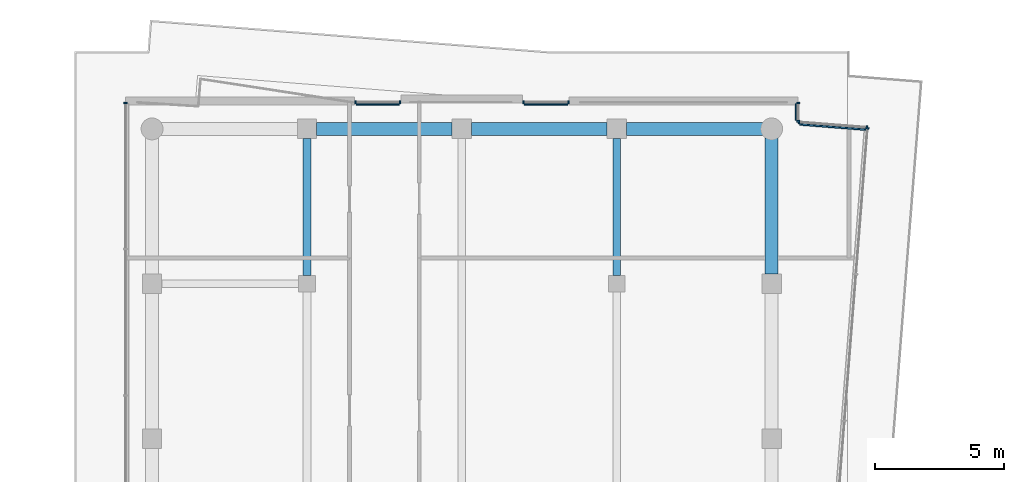
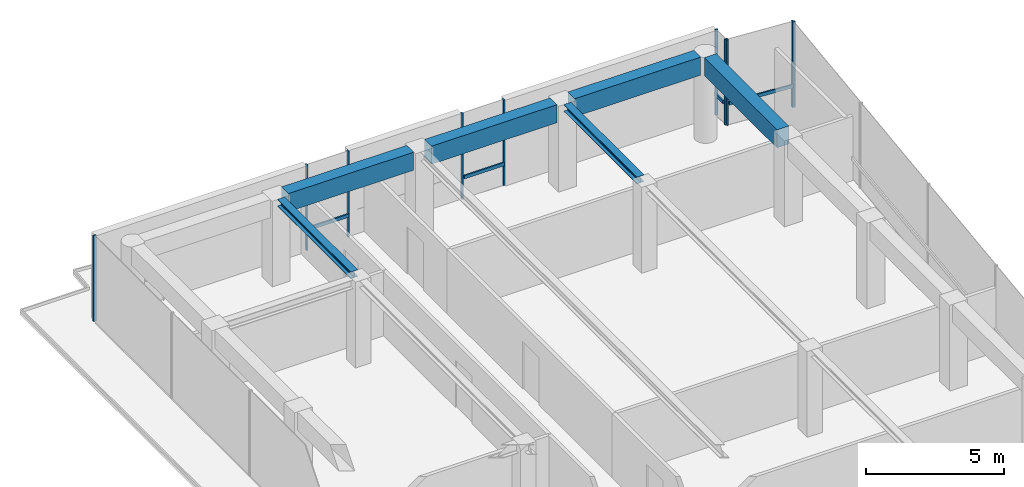
# One storey, part 14 of 22: 14 members, 6 beams, 6 elements without a shape of their own.
"""IFC4 building model written with IfcOpenShell, lengths in metres."""

import ifcopenshell
import ifcopenshell.guid

model = None  # the IFC model being written
_history = None  # IfcOwnerHistory: only IFC2X3 demands one
_inside = {}  # id of a spatial element -> (the spatial element, [elements in it])
_under = {}  # id of a project, library or spatial element -> (it, [spatial elements below it])
_declared = {}  # id of a project -> (the project, [libraries it declares])
_typed = {}  # id of a type object -> (the type object, [elements of that type])
_made_of = {}  # id of a material, layer set ... -> (it, [elements and type objects made of it])


def new_model(schema):
    """Start an empty IFC model of exactly this schema.

    Asked for "IFC4X3", IfcOpenShell would pick the latest addendum, in which some entities
    have other attributes; the version numbers below select the first issue.
    IFC2X3 requires an IfcOwnerHistory on every rooted entity: one is made here for all.
    """
    global model, _history
    if schema == "IFC4X3":
        model = ifcopenshell.file(schema_version=(4, 3, 0, 0))
    else:
        model = ifcopenshell.file(schema=schema)
    _inside.clear()
    _under.clear()
    _declared.clear()
    _typed.clear()
    _made_of.clear()
    _history = None
    if model.schema == "IFC2X3":
        org = make("IfcOrganization", Name="unknown")
        user = make(
            "IfcPersonAndOrganization",
            ThePerson=make("IfcPerson", FamilyName="unknown"),
            TheOrganization=org,
        )
        app = make(
            "IfcApplication",
            ApplicationDeveloper=org,
            Version="unknown",
            ApplicationFullName="unknown",
            ApplicationIdentifier="unknown",
        )
        _history = make(
            "IfcOwnerHistory",
            OwningUser=user,
            OwningApplication=app,
            ChangeAction="ADDED",
            CreationDate=0,
        )
    return model


def make(cls, **values):
    """One entity of the class cls with the attributes given. An attribute that is None is left unset."""
    return model.create_entity(
        cls, **{name: value for name, value in values.items() if value is not None}
    )


def rooted(cls, **values):
    """An entity with a GlobalId (a new one), such as an element, a storey or a relation."""
    return make(cls, GlobalId=ifcopenshell.guid.new(), OwnerHistory=_history, **values)


def si_unit(unit_type, name, prefix=None):
    """IfcSIUnit, for example si_unit("LENGTHUNIT", "METRE", prefix="MILLI")."""
    return make("IfcSIUnit", UnitType=unit_type, Prefix=prefix, Name=name)


def assignment(units):
    """IfcUnitAssignment: the units of a project."""
    return None if units is None else make("IfcUnitAssignment", Units=units)


def point(xyz):
    """IfcCartesianPoint."""
    return None if xyz is None else make("IfcCartesianPoint", Coordinates=xyz)


def direction(xyz):
    """IfcDirection."""
    return None if xyz is None else make("IfcDirection", DirectionRatios=xyz)


def frame(location, z_axis=None, x_axis=None):
    """IfcAxis2Placement3D, a coordinate frame: its origin and axes. An axis left out is left unset."""
    return make(
        "IfcAxis2Placement3D",
        Location=point(location),
        Axis=direction(z_axis),
        RefDirection=direction(x_axis),
    )


def frame_2d(location, x_axis=None):
    """IfcAxis2Placement2D, a coordinate frame in the plane: its origin and x axis."""
    return make(
        "IfcAxis2Placement2D", Location=point(location), RefDirection=direction(x_axis)
    )


def origin():
    """The frame at (0, 0, 0) with its axes left unset."""
    return frame((0.0, 0.0, 0.0))


def origin_2d():
    """The frame at (0, 0) in the plane with its x axis left unset."""
    return frame_2d((0.0, 0.0))


def place(relative_to, where):
    """IfcLocalPlacement: puts the frame where relative to a parent placement (None: the world)."""
    return make(
        "IfcLocalPlacement", PlacementRelTo=relative_to, RelativePlacement=where
    )


def context(
    kind, dimensions, precision=None, world=None, true_north=None, identifier=None
):
    """IfcGeometricRepresentationContext, for example the 3D "Model" context."""
    return make(
        "IfcGeometricRepresentationContext",
        ContextIdentifier=identifier,
        ContextType=kind,
        CoordinateSpaceDimension=dimensions,
        Precision=precision,
        WorldCoordinateSystem=world,
        TrueNorth=true_north,
    )


def subcontext(parent, identifier, kind, view, scale=None):
    """IfcGeometricRepresentationSubContext, for example "Body" below "Model"."""
    return make(
        "IfcGeometricRepresentationSubContext",
        ContextIdentifier=identifier,
        ContextType=kind,
        ParentContext=parent,
        TargetScale=scale,
        TargetView=view,
    )


def project(units=None, contexts=None):
    """IfcProject with its units and contexts."""
    return rooted(
        "IfcProject",
        Name="project",
        RepresentationContexts=contexts,
        UnitsInContext=assignment(units),
    )


def spatial(cls, under=None, at=None, **own):
    """A site, building, storey or space (cls), placed at a placement, below another one or the project."""
    s = rooted(cls, ObjectPlacement=at, **own)
    if under is not None:
        _under.setdefault(under.id(), (under, []))[1].append(s)
    return s


def profile(cls, at=None, kind="AREA", **sizes):
    """A parametric profile (cls). Its sizes go by their IFC names, for example OverallWidth=200.0."""
    return make(cls, ProfileType=kind, Position=at, **sizes)


def rectangle(**sizes):
    """IfcRectangleProfileDef."""
    return profile("IfcRectangleProfileDef", **sizes)


def i_section(**sizes):
    """IfcIShapeProfileDef."""
    return profile("IfcIShapeProfileDef", **sizes)


def extrude(swept, where, along, depth):
    """IfcExtrudedAreaSolid: the profile swept, set in the frame where, extruded along a direction by depth."""
    return make(
        "IfcExtrudedAreaSolid",
        SweptArea=swept,
        Position=where,
        ExtrudedDirection=direction(along),
        Depth=depth,
    )


def shape(context_of_items, identifier, shape_type, items):
    """IfcShapeRepresentation: the items that make up one representation, for example the "Body"."""
    return make(
        "IfcShapeRepresentation",
        ContextOfItems=context_of_items,
        RepresentationIdentifier=identifier,
        RepresentationType=shape_type,
        Items=items,
    )


def material(Name=None, Category=None):
    """IfcMaterial."""
    return make("IfcMaterial", Name=Name, Category=Category)


def layer(
    of_material, thickness, ventilated=None, Name=None, Category=None, Priority=None
):
    """IfcMaterialLayer: one layer of a wall or slab, of a material (None: an air gap)."""
    return make(
        "IfcMaterialLayer",
        Material=of_material,
        LayerThickness=thickness,
        IsVentilated=ventilated,
        Name=Name,
        Category=Category,
        Priority=Priority,
    )


def layer_set(layers, Name=None):
    """IfcMaterialLayerSet."""
    return make("IfcMaterialLayerSet", MaterialLayers=layers, LayerSetName=Name)


def material_profile(
    of_material, cross_section, Name=None, Category=None, Priority=None
):
    """IfcMaterialProfile: a cross section and its material."""
    return make(
        "IfcMaterialProfile",
        Name=Name,
        Material=of_material,
        Profile=cross_section,
        Priority=Priority,
        Category=Category,
    )


def profile_set(profiles, Name=None, composite=None):
    """IfcMaterialProfileSet."""
    return make(
        "IfcMaterialProfileSet",
        Name=Name,
        MaterialProfiles=profiles,
        CompositeProfile=composite,
    )


def made_of(thing, what):
    """Note that an element or type object is made of a material, layer set ...; save() writes the relation."""
    if what is not None:
        _made_of.setdefault(what.id(), (what, []))[1].append(thing)
    return thing


def type_object(cls, material=None, **own):
    """A type object (cls), such as IfcWallType, which elements share."""
    return made_of(rooted(cls, **own), material)


def element(
    cls,
    number,
    at=None,
    inside=None,
    cuts=None,
    type_object=None,
    material=None,
    context=None,
    identifier="Body",
    shape_type=None,
    held_by="IfcProductDefinitionShape",
    body=None,
    shapes=None,
    **own,
):
    """One element of the class cls, such as IfcWall. Its Tag is "e" and its number.

    at: its placement. inside: the storey or other place that contains it. cuts: it is an
    opening in that element (IfcRelVoidsElement). A single representation is given by context,
    identifier, shape_type and body (its items); several are given by shapes. held_by: the class
    of the entity that holds the representations. save() writes the other relations.
    """
    e = rooted(cls, Tag="e%d" % number, ObjectPlacement=at, **own)
    if body is not None:
        shapes = [shape(context, identifier, shape_type, body)]
    if shapes is not None:
        e.Representation = make(held_by, Representations=shapes)
    if inside is not None:
        _inside.setdefault(inside.id(), (inside, []))[1].append(e)
    if cuts is not None:
        rooted(
            "IfcRelVoidsElement", RelatingBuildingElement=cuts, RelatedOpeningElement=e
        )
    if type_object is not None:
        _typed.setdefault(type_object.id(), (type_object, []))[1].append(e)
    return made_of(e, material)


def aggregate(whole, parts):
    """IfcRelAggregates: a whole, such as a stair, and the parts it consists of."""
    return rooted("IfcRelAggregates", RelatingObject=whole, RelatedObjects=parts)


def save(model, path):
    """Write the relations noted so far, then the file.

    IfcRelAggregates (storeys below a building ...), IfcRelContainedInSpatialStructure (elements
    in a storey), IfcRelDefinesByType, IfcRelAssociatesMaterial and IfcRelDeclares: one each for
    every whole, place, type object, material and project.
    """
    for whole, parts in _under.values():
        aggregate(whole, parts)
    for where, things in _inside.values():
        rooted(
            "IfcRelContainedInSpatialStructure",
            RelatedElements=things,
            RelatingStructure=where,
        )
    for kind, things in _typed.values():
        rooted("IfcRelDefinesByType", RelatedObjects=things, RelatingType=kind)
    for what, things in _made_of.values():
        rooted("IfcRelAssociatesMaterial", RelatedObjects=things, RelatingMaterial=what)
    for by, libraries in _declared.values():
        rooted("IfcRelDeclares", RelatingContext=by, RelatedDefinitions=libraries)
    model.write(path)


model = new_model("IFC4")

# Units and contexts
model_context = context("Model", 3, precision=1e-05, world=origin(), true_north=direction((0.0, 1.0)))
body_context = subcontext(model_context, "Body", "Model", "MODEL_VIEW")
ifc_project = project(units=[si_unit("LENGTHUNIT", "METRE"), si_unit("AREAUNIT", "SQUARE_METRE"), si_unit("VOLUMEUNIT", "CUBIC_METRE"), si_unit("PLANEANGLEUNIT", "RADIAN"), si_unit("MASSUNIT", "GRAM", prefix="KILO")], contexts=[model_context])

# Site, building, storey
site_placement = place(None, origin())
site = spatial("IfcSite", under=ifc_project, at=site_placement, CompositionType="ELEMENT")
building_placement = place(site_placement, origin())
building = spatial("IfcBuilding", under=site, at=building_placement, Name="Welwitschia Terrace Campus", CompositionType="ELEMENT")
storey_placement = place(building_placement, frame((0.0, 0.0, 268.39990234375)))
storey = spatial("IfcBuildingStorey", under=building, at=storey_placement, Name="L59", CompositionType="ELEMENT", Elevation=268.39990234375)

# Beams
ifc_material_1 = material(Name="Steel S355", Category="steel")
ifc_material_profile_1 = material_profile(ifc_material_1, i_section(OverallWidth=0.300048828125, OverallDepth=0.300048828125, WebThickness=0.010986328125, FlangeThickness=0.01904296875, FilletRadius=0.027099609375, at=origin_2d()))
ifc_profile_set_1 = profile_set([ifc_material_profile_1], Name="Steel S355")
beam_type_1 = type_object("IfcBeamType", Name="Interior girder HE 300 B", PredefinedType="BEAM", material=ifc_profile_set_1)
for number, where, z_axis, x_axis, name in (
    (1, (6.0, 56.325439453125, 3.650146484375), (0.0, 1.0, 0.0), (-1.0, 0.0, 0.0), "Girder GB6"),
    (2, (18.0, 56.325439453125, 3.650146484375), (0.0, 1.0, 0.0), (-1.0, 0.0, 0.0), "Girder GB6"),
):
    element("IfcBeam", number, at=place(storey_placement, frame(where, z_axis=z_axis, x_axis=x_axis)), inside=storey, type_object=beam_type_1, Name=name, PredefinedType="BEAM", context=body_context, shape_type="SweptSolid", body=[
        extrude(i_section(OverallWidth=0.300048828125, OverallDepth=0.300048828125, WebThickness=0.010986328125, FlangeThickness=0.01904296875, FilletRadius=0.027099609375, at=origin_2d()), origin(), (0.0, 0.0, 1.0), 5.30908203125),
    ])

# Curtain wall, member
ifc_material_2 = material(Name="Bronze anodised aluminium", Category="aluminium")
ifc_layer = layer(ifc_material_2, 0.1201171875)
ifc_layer_set = layer_set([ifc_layer], Name="Bronze anodised aluminium")
curtain_wall_type = type_object("IfcCurtainWallType", Name="Curtain wall CW2 tower 6000", PredefinedType="NOTDEFINED", material=ifc_layer_set)
curtain_wall_1_placement = place(storey_placement, origin())
curtain_wall_1 = element("IfcCurtainWall", 3, at=curtain_wall_1_placement, inside=storey, type_object=curtain_wall_type, Name="CW L59.0.0", PredefinedType="NOTDEFINED")
ifc_material_3 = material(Name="Bronze anodised aluminium", Category="aluminium")
ifc_material_profile_2 = material_profile(ifc_material_3, rectangle(XDim=0.1201171875, YDim=0.06005859375, at=origin_2d()))
ifc_profile_set_2 = profile_set([ifc_material_profile_2], Name="Bronze anodised aluminium")
member_type_1 = type_object("IfcMemberType", Name="Mullion 60x120", PredefinedType="MULLION", material=ifc_profile_set_2)
member_1_placement = place(storey_placement, frame((-1.030029296875, 63.0, 0.0), z_axis=(0.0, 0.0, 1.0), x_axis=(1.0, 0.0, 0.0)))
member_1 = element("IfcMember", 4, at=member_1_placement, type_object=member_type_1, Name="Mullion L59.0.0.0", PredefinedType="MULLION", context=body_context, shape_type="SweptSolid", body=[
    extrude(rectangle(XDim=0.1201171875, YDim=0.06005859375, at=origin_2d()), origin(), (0.0, 0.0, 1.0), 3.800048828125),
])
aggregate(curtain_wall_1, [member_1])

curtain_wall_2_placement = place(storey_placement, origin())
curtain_wall_2 = element("IfcCurtainWall", 5, at=curtain_wall_2_placement, inside=storey, type_object=curtain_wall_type, Name="CW L59.8.0", PredefinedType="NOTDEFINED")
member_2_placement = place(storey_placement, frame((27.71142578125, 62.02587890625, 0.0), z_axis=(0.0, 0.0, 1.0), x_axis=(-0.996917333733, 0.078459095728, 0.0)))
member_2 = element("IfcMember", 6, at=member_2_placement, type_object=member_type_1, Name="Mullion L59.8.0.6", PredefinedType="MULLION", context=body_context, shape_type="SweptSolid", body=[
    extrude(rectangle(XDim=0.1201171875, YDim=0.06005859375, at=origin_2d()), origin(), (0.0, 0.0, 1.0), 3.800048828125),
])
aggregate(curtain_wall_2, [member_2])

# Curtain wall, members
curtain_wall_3_placement = place(storey_placement, origin())
curtain_wall_3 = element("IfcCurtainWall", 7, at=curtain_wall_3_placement, inside=storey, type_object=curtain_wall_type, Name="CW L59.9.0", PredefinedType="NOTDEFINED")
member_3_placement = place(storey_placement, frame((27.68408203125, 62.05810546875, 0.0), z_axis=(0.0, 0.0, 1.0), x_axis=(-0.078459095728, -0.996917333733, 0.0)))
member_3 = element("IfcMember", 8, at=member_3_placement, type_object=member_type_1, Name="Mullion L59.9.0.0", PredefinedType="MULLION", context=body_context, shape_type="SweptSolid", body=[
    extrude(rectangle(XDim=0.1201171875, YDim=0.06005859375, at=origin_2d()), origin(), (0.0, 0.0, 1.0), 3.800048828125),
])
member_4_placement = place(storey_placement, frame((25.059814453125, 62.2646484375, 0.0), z_axis=(0.0, 0.0, 1.0), x_axis=(-0.078459095728, -0.996917333733, 0.0)))
member_4 = element("IfcMember", 9, at=member_4_placement, type_object=member_type_1, Name="Mullion L59.9.0.1", PredefinedType="MULLION", context=body_context, shape_type="SweptSolid", body=[
    extrude(rectangle(XDim=0.1201171875, YDim=0.06005859375, at=origin_2d()), origin(), (0.0, 0.0, 1.0), 3.800048828125),
])

curtain_wall_4_placement = place(storey_placement, origin())
curtain_wall_4 = element("IfcCurtainWall", 10, at=curtain_wall_4_placement, inside=storey, type_object=curtain_wall_type, Name="CW L59.10.0", PredefinedType="NOTDEFINED")
member_5_placement = place(storey_placement, frame((25.030029296875, 62.296875, 0.0), z_axis=(0.0, 0.0, 1.0), x_axis=(-1.0, 0.0, 0.0)))
member_5 = element("IfcMember", 11, at=member_5_placement, type_object=member_type_1, Name="Mullion L59.10.0.0", PredefinedType="MULLION", context=body_context, shape_type="SweptSolid", body=[
    extrude(rectangle(XDim=0.1201171875, YDim=0.06005859375, at=origin_2d()), origin(), (0.0, 0.0, 1.0), 3.800048828125),
])
member_6_placement = place(storey_placement, frame((25.030029296875, 63.0, 0.0), z_axis=(0.0, 0.0, 1.0), x_axis=(-1.0, 0.0, 0.0)))
member_6 = element("IfcMember", 12, at=member_6_placement, type_object=member_type_1, Name="Mullion L59.10.0.1", PredefinedType="MULLION", context=body_context, shape_type="SweptSolid", body=[
    extrude(rectangle(XDim=0.1201171875, YDim=0.06005859375, at=origin_2d()), origin(), (0.0, 0.0, 1.0), 3.800048828125),
])

curtain_wall_5_placement = place(storey_placement, origin())
curtain_wall_5 = element("IfcCurtainWall", 13, at=curtain_wall_5_placement, inside=storey, type_object=curtain_wall_type, Name="CW L59.11.S0", PredefinedType="NOTDEFINED")
member_7_placement = place(storey_placement, frame((16.12744140625, 63.030029296875, 0.0), z_axis=(0.0, 0.0, 1.0), x_axis=(0.0, -1.0, 0.0)))
member_7 = element("IfcMember", 14, at=member_7_placement, type_object=member_type_1, Name="Mullion L59.11.S0.0", PredefinedType="MULLION", context=body_context, shape_type="SweptSolid", body=[
    extrude(rectangle(XDim=0.1201171875, YDim=0.06005859375, at=origin_2d()), origin(), (0.0, 0.0, 1.0), 3.800048828125),
])
member_8_placement = place(storey_placement, frame((14.387451171875, 63.030029296875, 0.0), z_axis=(0.0, 0.0, 1.0), x_axis=(0.0, -1.0, 0.0)))
member_8 = element("IfcMember", 15, at=member_8_placement, type_object=member_type_1, Name="Mullion L59.11.S0.1", PredefinedType="MULLION", context=body_context, shape_type="SweptSolid", body=[
    extrude(rectangle(XDim=0.1201171875, YDim=0.06005859375, at=origin_2d()), origin(), (0.0, 0.0, 1.0), 3.800048828125),
])

curtain_wall_6_placement = place(storey_placement, origin())
curtain_wall_6 = element("IfcCurtainWall", 16, at=curtain_wall_6_placement, inside=storey, type_object=curtain_wall_type, Name="CW L59.11.S1", PredefinedType="NOTDEFINED")
member_9_placement = place(storey_placement, frame((9.612548828125, 63.030029296875, 0.0), z_axis=(0.0, 0.0, 1.0), x_axis=(0.0, -1.0, 0.0)))
member_9 = element("IfcMember", 17, at=member_9_placement, type_object=member_type_1, Name="Mullion L59.11.S1.0", PredefinedType="MULLION", context=body_context, shape_type="SweptSolid", body=[
    extrude(rectangle(XDim=0.1201171875, YDim=0.06005859375, at=origin_2d()), origin(), (0.0, 0.0, 1.0), 3.800048828125),
])
member_10_placement = place(storey_placement, frame((7.87255859375, 63.030029296875, 0.0), z_axis=(0.0, 0.0, 1.0), x_axis=(0.0, -1.0, 0.0)))
member_10 = element("IfcMember", 18, at=member_10_placement, type_object=member_type_1, Name="Mullion L59.11.S1.1", PredefinedType="MULLION", context=body_context, shape_type="SweptSolid", body=[
    extrude(rectangle(XDim=0.1201171875, YDim=0.06005859375, at=origin_2d()), origin(), (0.0, 0.0, 1.0), 3.800048828125),
])

# Beams
ifc_material_4 = material(Name="Concrete C50/60", Category="concrete")
ifc_material_profile_3 = material_profile(ifc_material_4, rectangle(XDim=0.5, YDim=0.800048828125, at=origin_2d()))
ifc_profile_set_3 = profile_set([ifc_material_profile_3], Name="Concrete C50/60")
beam_type_2 = type_object("IfcBeamType", Name="Ring spandrel 500x800", PredefinedType="SPANDREL", material=ifc_profile_set_3)
for number, where, z_axis, x_axis, name in (
    (19, (24.0, 56.37548828125, 3.400146484375), (0.0, 1.0, 0.0), (-1.0, 0.0, 0.0), "Spandrel SP4"),
    (20, (23.655517578125, 62.0, 3.400146484375), (-1.0, 0.0, 0.0), (0.0, -1.0, 0.0), "Spandrel SP4"),
):
    element("IfcBeam", number, at=place(storey_placement, frame(where, z_axis=z_axis, x_axis=x_axis)), inside=storey, type_object=beam_type_2, Name=name, PredefinedType="SPANDREL", context=body_context, shape_type="SweptSolid", body=[
        extrude(rectangle(XDim=0.5, YDim=0.800048828125, at=origin_2d()), origin(), (0.0, 0.0, 1.0), 5.280029296875),
    ])
for number, where, z_axis, x_axis, name in (
    (21, (17.62451171875, 62.0, 3.400146484375), (-1.0, 0.0, 0.0), (0.0, -1.0, 0.0), "Spandrel SP4"),
    (22, (11.62451171875, 62.0, 3.400146484375), (-1.0, 0.0, 0.0), (0.0, -1.0, 0.0), "Spandrel SP4"),
):
    element("IfcBeam", number, at=place(storey_placement, frame(where, z_axis=z_axis, x_axis=x_axis)), inside=storey, type_object=beam_type_2, Name=name, PredefinedType="SPANDREL", context=body_context, shape_type="SweptSolid", body=[
        extrude(rectangle(XDim=0.5, YDim=0.800048828125, at=origin_2d()), origin(), (0.0, 0.0, 1.0), 5.2490234375),
    ])

# Member
ifc_material_5 = material(Name="Bronze anodised aluminium", Category="aluminium")
ifc_material_profile_4 = material_profile(ifc_material_5, rectangle(XDim=0.06005859375, YDim=0.14990234375, at=origin_2d()))
ifc_profile_set_4 = profile_set([ifc_material_profile_4], Name="Bronze anodised aluminium")
member_type_2 = type_object("IfcMemberType", Name="Transom 60x150", PredefinedType="USERDEFINED", material=ifc_profile_set_4)
member_11_placement = place(storey_placement, frame((27.64697265625, 61.970703125, 1.0), z_axis=(-0.996921816526, 0.078402115629, 0.0), x_axis=(-0.078402115629, -0.996921816526, 0.0)))
member_11 = element("IfcMember", 23, at=member_11_placement, type_object=member_type_2, Name="Transom L59.9.0", ObjectType="TRANSOM", PredefinedType="USERDEFINED", context=body_context, shape_type="SweptSolid", body=[
    extrude(rectangle(XDim=0.06005859375, YDim=0.14990234375, at=origin_2d()), origin(), (0.0, 0.0, 1.0), 2.572021484375),
])

aggregate(curtain_wall_3, [member_3, member_4, member_11])

member_12_placement = place(storey_placement, frame((24.93994140625, 62.326904296875, 1.0), z_axis=(0.0, 1.0, 0.0), x_axis=(-1.0, 0.0, 0.0)))
member_12 = element("IfcMember", 24, at=member_12_placement, type_object=member_type_2, Name="Transom L59.10.0", ObjectType="TRANSOM", PredefinedType="USERDEFINED", context=body_context, shape_type="SweptSolid", body=[
    extrude(rectangle(XDim=0.06005859375, YDim=0.14990234375, at=origin_2d()), origin(), (0.0, 0.0, 1.0), 0.64306640625),
])

aggregate(curtain_wall_4, [member_5, member_6, member_12])

member_13_placement = place(storey_placement, frame((16.097412109375, 62.93994140625, 1.0), z_axis=(-1.0, 0.0, 0.0), x_axis=(0.0, -1.0, 0.0)))
member_13 = element("IfcMember", 25, at=member_13_placement, type_object=member_type_2, Name="Transom L59.11.S0", ObjectType="TRANSOM", PredefinedType="USERDEFINED", context=body_context, shape_type="SweptSolid", body=[
    extrude(rectangle(XDim=0.06005859375, YDim=0.14990234375, at=origin_2d()), origin(), (0.0, 0.0, 1.0), 1.679931640625),
])

aggregate(curtain_wall_5, [member_7, member_8, member_13])

member_14_placement = place(storey_placement, frame((9.58251953125, 62.93994140625, 1.0), z_axis=(-1.0, 0.0, 0.0), x_axis=(0.0, -1.0, 0.0)))
member_14 = element("IfcMember", 26, at=member_14_placement, type_object=member_type_2, Name="Transom L59.11.S1", ObjectType="TRANSOM", PredefinedType="USERDEFINED", context=body_context, shape_type="SweptSolid", body=[
    extrude(rectangle(XDim=0.06005859375, YDim=0.14990234375, at=origin_2d()), origin(), (0.0, 0.0, 1.0), 1.679931640625),
])

aggregate(curtain_wall_6, [member_9, member_10, member_14])

save(model, "model.ifc")
